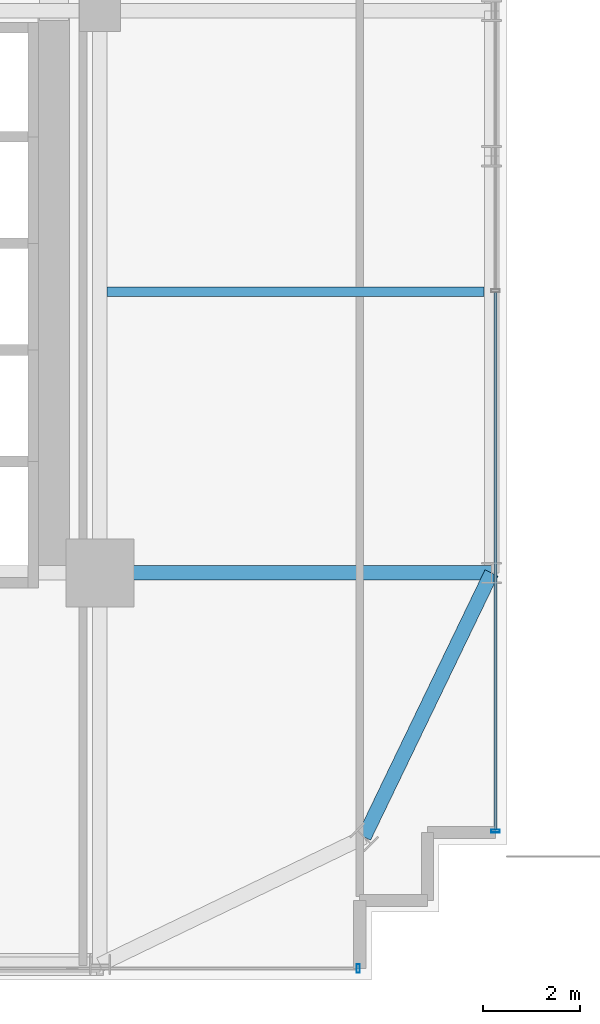
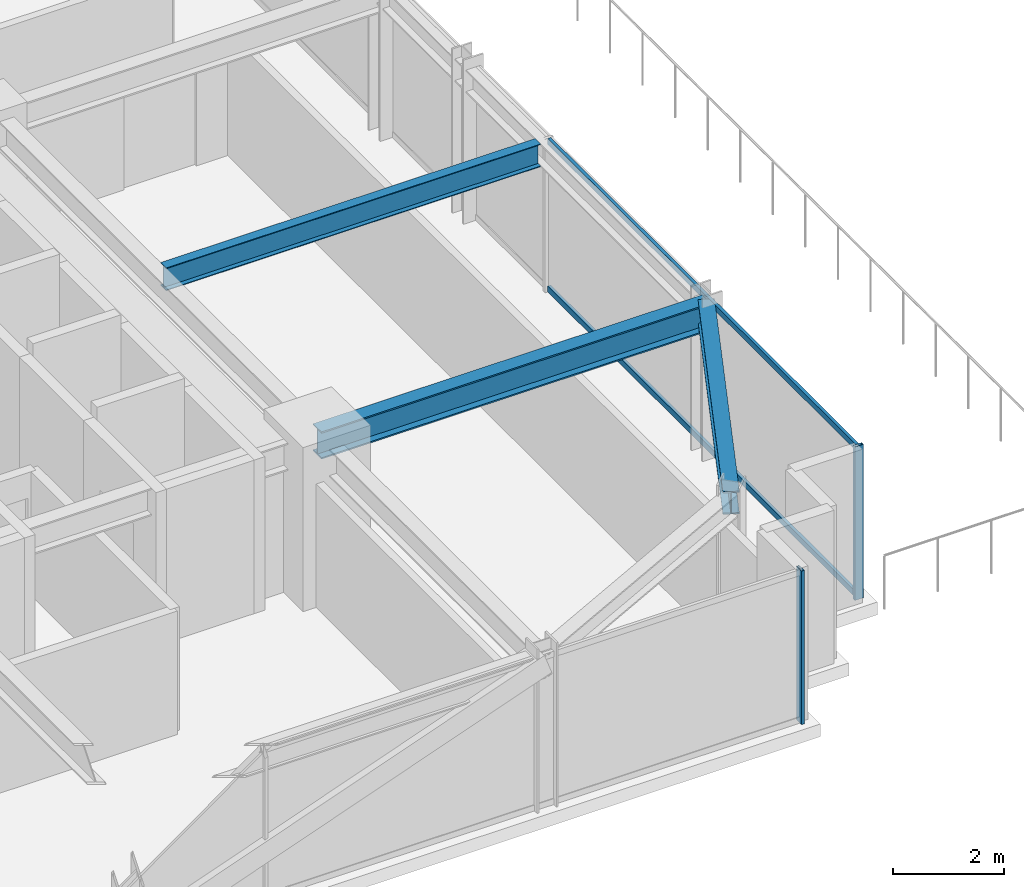
# One storey, part 14 of 39: 4 members, 3 beams, 2 elements without a shape of their own.
"""IFC4 building model written with IfcOpenShell, lengths in metres."""

from ifc_helpers import new_model, si_unit, direction, frame, origin, origin_2d, place, context, subcontext, project, spatial, hollow_rectangle, i_section, extrude, source, transform, mapped, material, material_profile, profile_set, type_object, element, aggregate, save


model = new_model("IFC4")

# Units and contexts
model_context = context("Model", 3, precision=1e-05, world=origin(), true_north=direction((0.0, 1.0)))
body_context = subcontext(model_context, "Body", "Model", "MODEL_VIEW")
ifc_project = project(units=[si_unit("LENGTHUNIT", "METRE"), si_unit("AREAUNIT", "SQUARE_METRE"), si_unit("VOLUMEUNIT", "CUBIC_METRE"), si_unit("PLANEANGLEUNIT", "RADIAN"), si_unit("MASSUNIT", "GRAM", prefix="KILO")], contexts=[model_context])

# Site, building, storey
site_placement = place(None, origin())
site = spatial("IfcSite", under=ifc_project, at=site_placement, CompositionType="ELEMENT")
building_placement = place(site_placement, origin())
building = spatial("IfcBuilding", under=site, at=building_placement, Name="Nahalor Promenade Grand Hotel", CompositionType="ELEMENT")
storey_placement = place(building_placement, frame((0.0, 0.0, 32.39990234375)))
storey = spatial("IfcBuildingStorey", under=building, at=storey_placement, Name="L06", CompositionType="ELEMENT", Elevation=32.39990234375)

# Beams
ifc_material_1 = material(Name="Steel S355JR", Category="steel")
ifc_material_profile_1 = material_profile(ifc_material_1, i_section(OverallWidth=0.3, OverallDepth=0.6, WebThickness=0.0155, FlangeThickness=0.03, at=origin_2d()), Name="HEB 600")
ifc_profile_set_1 = profile_set([ifc_material_profile_1], Name="Steel S355JR")
beam_type_1 = type_object("IfcBeamType", Name="Beam-Girder-HEB600", PredefinedType="BEAM", material=ifc_profile_set_1)
shared_shape_1 = source(origin(), body_context, "Body", "SweptSolid", [
    extrude(i_section(OverallWidth=0.3, OverallDepth=0.6, WebThickness=0.0155, FlangeThickness=0.03, at=origin_2d()), origin(), (0.0, 0.0, 1.0), 8.080078125),
])
beam_1_placement = place(storey_placement, frame((17.0, -17.0, 3.070068359375), z_axis=(1.0, 0.0, 0.0), x_axis=(0.0, 1.0, 0.0)))
element("IfcBeam", 1, at=beam_1_placement, inside=storey, type_object=beam_type_1, Name="BM-L06-GX-0-6", PredefinedType="BEAM", context=body_context, shape_type="MappedRepresentation", body=[
    mapped(shared_shape_1, transform((0.0, 0.0, 0.0), scale=1.0)),
])
ifc_material_profile_2 = material_profile(ifc_material_1, i_section(OverallWidth=0.3, OverallDepth=0.5, WebThickness=0.0145, FlangeThickness=0.028, at=origin_2d()), Name="HEB 500")
ifc_profile_set_2 = profile_set([ifc_material_profile_2], Name="Steel S355JR")
beam_type_2 = type_object("IfcBeamType", Name="Beam-Spandrel-HEB500", PredefinedType="SPANDREL", material=ifc_profile_set_2)
shared_shape_2 = source(origin(), body_context, "Body", "SweptSolid", [
    extrude(i_section(OverallWidth=0.3, OverallDepth=0.5, WebThickness=0.0145, FlangeThickness=0.028, at=origin_2d()), origin(), (0.0, 0.0, 1.0), 6.051513671875),
])
beam_2_placement = place(storey_placement, frame((22.449951171875, -22.449951171875, 3.1201171875), z_axis=(0.434630596492, 0.900608818852, 0.0), x_axis=(-0.900608818852, 0.434630596492, 0.0)))
element("IfcBeam", 2, at=beam_2_placement, inside=storey, type_object=beam_type_2, Name="BM-L06-SPC-SE-2", PredefinedType="SPANDREL", context=body_context, shape_type="MappedRepresentation", body=[
    mapped(shared_shape_2, transform((0.0, 0.0, 0.0), scale=1.0)),
])
ifc_material_profile_3 = material_profile(ifc_material_1, i_section(OverallWidth=0.2, OverallDepth=0.5, WebThickness=0.0102, FlangeThickness=0.016, at=origin_2d()), Name="IPE 500")
ifc_profile_set_3 = profile_set([ifc_material_profile_3], Name="Steel S355JR")
beam_type_3 = type_object("IfcBeamType", Name="Beam-Joist-IPE500", PredefinedType="JOIST", material=ifc_profile_set_3)
shared_shape_3 = source(origin(), body_context, "Body", "SweptSolid", [
    extrude(i_section(OverallWidth=0.2, OverallDepth=0.5, WebThickness=0.0102, FlangeThickness=0.016, at=origin_2d()), origin(), (0.0, 0.0, 1.0), 7.780029296875),
])
beam_3_placement = place(storey_placement, frame((17.14990234375, -11.199951171875, 3.1201171875), z_axis=(1.0, 0.0, 0.0), x_axis=(0.0, 1.0, 0.0)))
element("IfcBeam", 3, at=beam_3_placement, inside=storey, type_object=beam_type_3, Name="BM-L06-JSE-0-2", PredefinedType="JOIST", context=body_context, shape_type="MappedRepresentation", body=[
    mapped(shared_shape_3, transform((0.0, 0.0, 0.0), scale=1.0)),
])

# Curtain wall, member
ifc_material_2 = material(Name="Anodised Bronze Aluminium EN AW-6063 T6", Category="aluminium")
curtain_wall_type = type_object("IfcCurtainWallType", Name="CW2 Typical Hotel Flush Bronze Unitised Curtain Wall", PredefinedType="USERDEFINED", material=ifc_material_2)
curtain_wall_1_placement = place(storey_placement, origin())
curtain_wall_1 = element("IfcCurtainWall", 4, at=curtain_wall_1_placement, inside=storey, type_object=curtain_wall_type, Name="L06 Curtain Wall CW-L06-S-1", ObjectType="UNITISED_CURTAIN_WALL", PredefinedType="USERDEFINED")
ifc_material_profile_4 = material_profile(ifc_material_2, hollow_rectangle(XDim=0.065, YDim=0.18, WallThickness=0.004, at=origin_2d()), Name="CWM 65x180x4")
ifc_profile_set_4 = profile_set([ifc_material_profile_4], Name="Anodised Bronze Aluminium EN AW-6063 T6")
member_type_1 = type_object("IfcMemberType", Name="CWM2 Typical Bronze Mullion 65x180", PredefinedType="MULLION", material=ifc_profile_set_4)
shared_shape_4 = source(origin(), body_context, "Body", "SweptSolid", [
    extrude(hollow_rectangle(XDim=0.065, YDim=0.18, WallThickness=0.004, at=origin_2d()), origin(), (0.0, 0.0, 1.0), 3.3701171875),
])
member_1_placement = place(storey_placement, frame((22.327392578125, -25.159912109375, 0.0), z_axis=(0.0, 0.0, 1.0), x_axis=(1.0, 0.0, 0.0)))
member_1 = element("IfcMember", 5, at=member_1_placement, type_object=member_type_1, Name="CW-L06-S-1 Mullion 4", PredefinedType="MULLION", context=body_context, shape_type="MappedRepresentation", body=[
    mapped(shared_shape_4, transform((0.0, 0.0, 0.0), scale=1.0)),
])
aggregate(curtain_wall_1, [member_1])

# Curtain wall, members
curtain_wall_2_placement = place(storey_placement, origin())
curtain_wall_2 = element("IfcCurtainWall", 6, at=curtain_wall_2_placement, inside=storey, type_object=curtain_wall_type, Name="L06 Curtain Wall CW-L06-E-1", ObjectType="UNITISED_CURTAIN_WALL", PredefinedType="USERDEFINED")
member_2_placement = place(storey_placement, frame((25.159912109375, -22.327392578125, 0.0), z_axis=(0.0, 0.0, 1.0), x_axis=(0.0, 1.0, 0.0)))
member_2 = element("IfcMember", 7, at=member_2_placement, type_object=member_type_1, Name="CW-L06-E-1 Mullion 0", PredefinedType="MULLION", context=body_context, shape_type="MappedRepresentation", body=[
    mapped(shared_shape_4, transform((0.0, 0.0, 0.0), scale=1.0)),
])
ifc_material_profile_5 = material_profile(ifc_material_2, hollow_rectangle(XDim=0.065, YDim=0.13, WallThickness=0.004, at=origin_2d()), Name="CWT 65x130x4")
ifc_profile_set_5 = profile_set([ifc_material_profile_5], Name="Anodised Bronze Aluminium EN AW-6063 T6")
member_type_2 = type_object("IfcMemberType", Name="CWT2 Typical Bronze Transom 65x130", PredefinedType="USERDEFINED", material=ifc_profile_set_5)
shared_shape_5 = source(origin(), body_context, "Body", "SweptSolid", [
    extrude(hollow_rectangle(XDim=0.065, YDim=0.13, WallThickness=0.004, at=origin_2d()), origin(), (0.0, 0.0, 1.0), 11.08251953125),
])
member_3_placement = place(storey_placement, frame((25.159912109375, -22.294921875, 0.065185546875), z_axis=(0.0, 1.0, 0.0), x_axis=(-1.0, 0.0, 0.0)))
member_3 = element("IfcMember", 8, at=member_3_placement, type_object=member_type_2, Name="CW-L06-E-1 Transom 0-0", ObjectType="TRANSOM", PredefinedType="USERDEFINED", context=body_context, shape_type="MappedRepresentation", body=[
    mapped(shared_shape_5, transform((0.0, 0.0, 0.0), scale=1.0)),
])
member_4_placement = place(storey_placement, frame((25.159912109375, -22.294921875, 3.30517578125), z_axis=(0.0, 1.0, 0.0), x_axis=(-1.0, 0.0, 0.0)))
member_4 = element("IfcMember", 9, at=member_4_placement, type_object=member_type_2, Name="CW-L06-E-1 Transom 0-1", ObjectType="TRANSOM", PredefinedType="USERDEFINED", context=body_context, shape_type="MappedRepresentation", body=[
    mapped(shared_shape_5, transform((0.0, 0.0, 0.0), scale=1.0)),
])
aggregate(curtain_wall_2, [member_2, member_3, member_4])

save(model, "model.ifc")
